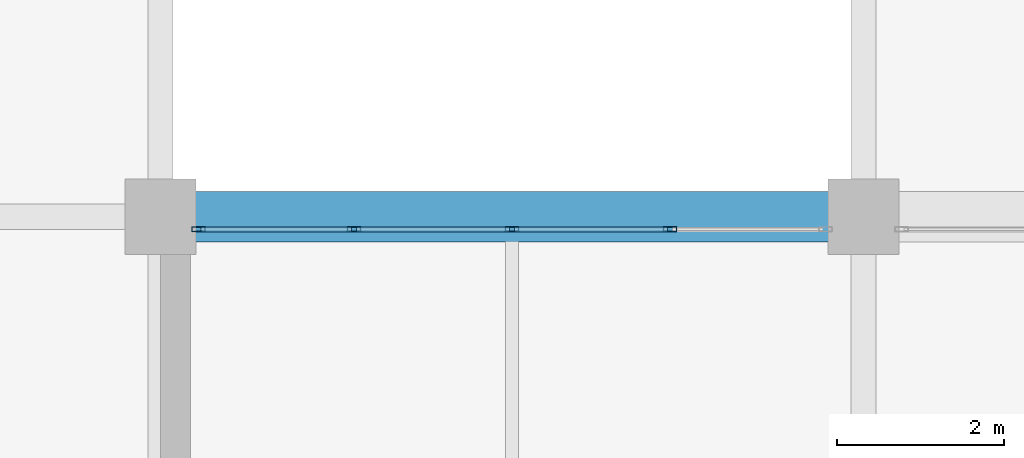
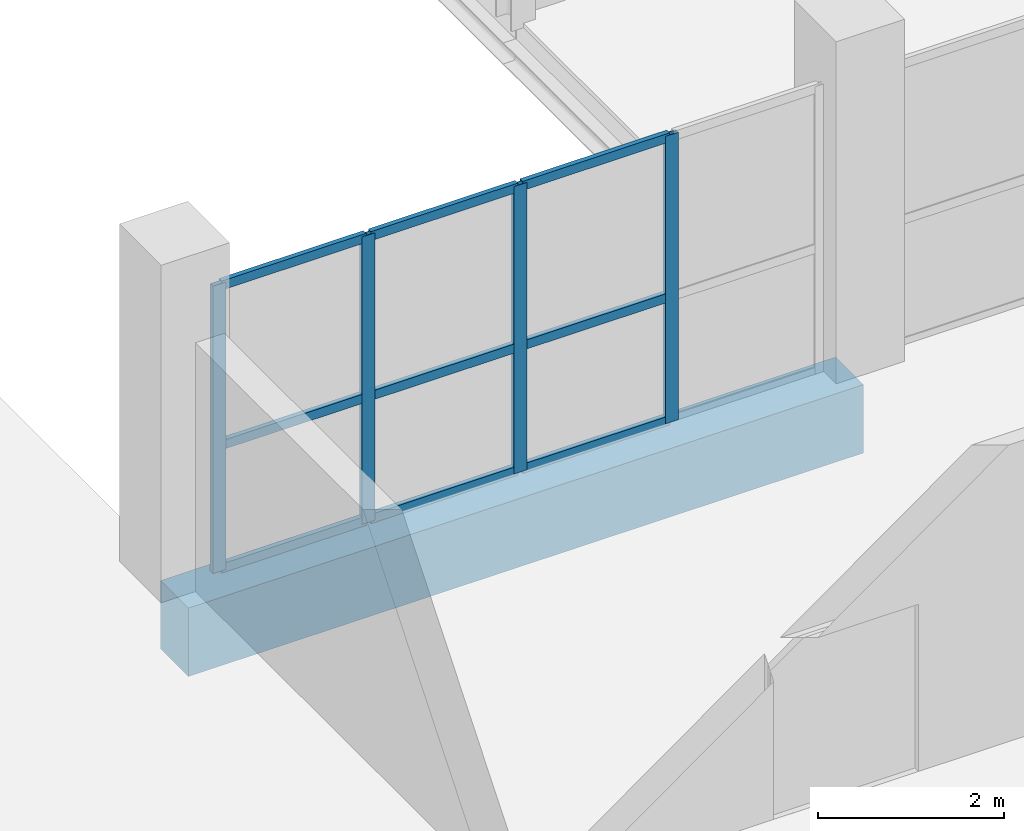
# One storey, part 12 of 103: 13 members, 1 beam, 1 element without a shape of its own.
"""IFC4 building model written with IfcOpenShell, lengths in metres."""

from ifc_helpers import new_model, si_unit, direction, frame, origin, origin_2d, place, context, subcontext, project, spatial, rectangle, hollow_rectangle, extrude, material, material_profile, profile_set, type_object, element, aggregate, save


model = new_model("IFC4")

# Units and contexts
model_context = context("Model", 3, precision=1e-05, world=origin(), true_north=direction((0.0, 1.0)))
body_context = subcontext(model_context, "Body", "Model", "MODEL_VIEW")
ifc_project = project(units=[si_unit("LENGTHUNIT", "METRE"), si_unit("AREAUNIT", "SQUARE_METRE"), si_unit("VOLUMEUNIT", "CUBIC_METRE"), si_unit("PLANEANGLEUNIT", "RADIAN"), si_unit("MASSUNIT", "GRAM", prefix="KILO")], contexts=[model_context])

# Site, building, storey
site_placement = place(None, origin())
site = spatial("IfcSite", under=ifc_project, at=site_placement, CompositionType="ELEMENT")
building_placement = place(site_placement, origin())
building = spatial("IfcBuilding", under=site, at=building_placement, Name="Veltarok Museum of Natural Sciences", CompositionType="ELEMENT")
storey_placement = place(building_placement, frame((0.0, 0.0, 21.89990234375)))
storey = spatial("IfcBuildingStorey", under=building, at=storey_placement, Name="L04", CompositionType="ELEMENT", Elevation=21.89990234375)

# Curtain wall, members
ifc_material_1 = material(Name="Low-iron triple insulated glass", Category="glass")
curtain_wall_type = type_object("IfcCurtainWallType", Name="Curtain Wall System CW-V1CN4-L04-2-755x378 (CW-V1CN4 L04 755x378cm)", PredefinedType="NOTDEFINED", material=ifc_material_1)
curtain_wall_placement = place(storey_placement, origin())
curtain_wall = element("IfcCurtainWall", 1, at=curtain_wall_placement, inside=storey, type_object=curtain_wall_type, Name="Curtain Wall CW-V1CN4-L04-2-755x378 CW-0162", PredefinedType="NOTDEFINED")
ifc_material_2 = material(Name="Thermally broken anodised aluminium", Category="aluminium")
ifc_material_profile_1 = material_profile(ifc_material_2, hollow_rectangle(XDim=0.06005859375, YDim=0.1201171875, WallThickness=0.0048828125, at=origin_2d()), Name="CW TRANSOM 60x120x5")
ifc_profile_set_1 = profile_set([ifc_material_profile_1], Name="Thermally broken anodised aluminium")
member_type_1 = type_object("IfcMemberType", Name="Curtain Wall Horizontal Transom 60x120x5", PredefinedType="USERDEFINED", material=ifc_profile_set_1)
member_1_placement = place(storey_placement, frame((37.657470703125, 19.050048828125, 0.028076171875), z_axis=(-1.0, 0.0, 0.0), x_axis=(0.0, -1.0, 0.0)))
member_1 = element("IfcMember", 2, at=member_1_placement, type_object=member_type_1, Name="CW-V1CN4-L04-2-755x378 transom 2.1", ObjectType="TRANSOM", PredefinedType="USERDEFINED", context=body_context, shape_type="SweptSolid", body=[
    extrude(hollow_rectangle(XDim=0.06005859375, YDim=0.1201171875, WallThickness=0.0048828125, at=origin_2d()), origin(), (0.0, 0.0, 1.0), 1.827392578125),
])
member_2_placement = place(storey_placement, frame((37.657470703125, 19.050048828125, 1.648193359375), z_axis=(-1.0, 0.0, 0.0), x_axis=(0.0, -1.0, 0.0)))
member_2 = element("IfcMember", 3, at=member_2_placement, type_object=member_type_1, Name="CW-V1CN4-L04-2-755x378 transom 2.2", ObjectType="TRANSOM", PredefinedType="USERDEFINED", context=body_context, shape_type="SweptSolid", body=[
    extrude(hollow_rectangle(XDim=0.06005859375, YDim=0.1201171875, WallThickness=0.0048828125, at=origin_2d()), origin(), (0.0, 0.0, 1.0), 1.827392578125),
])
member_3_placement = place(storey_placement, frame((37.657470703125, 19.050048828125, 3.75), z_axis=(-1.0, 0.0, 0.0), x_axis=(0.0, -1.0, 0.0)))
member_3 = element("IfcMember", 4, at=member_3_placement, type_object=member_type_1, Name="CW-V1CN4-L04-2-755x378 transom 2.3", ObjectType="TRANSOM", PredefinedType="USERDEFINED", context=body_context, shape_type="SweptSolid", body=[
    extrude(hollow_rectangle(XDim=0.06005859375, YDim=0.1201171875, WallThickness=0.0048828125, at=origin_2d()), origin(), (0.0, 0.0, 1.0), 1.827392578125),
])
member_4_placement = place(storey_placement, frame((35.77001953125, 19.050048828125, 0.028076171875), z_axis=(-1.0, 0.0, 0.0), x_axis=(0.0, -1.0, 0.0)))
member_4 = element("IfcMember", 5, at=member_4_placement, type_object=member_type_1, Name="CW-V1CN4-L04-2-755x378 transom 3.1", ObjectType="TRANSOM", PredefinedType="USERDEFINED", context=body_context, shape_type="SweptSolid", body=[
    extrude(hollow_rectangle(XDim=0.06005859375, YDim=0.1201171875, WallThickness=0.0048828125, at=origin_2d()), origin(), (0.0, 0.0, 1.0), 1.82763671875),
])
member_5_placement = place(storey_placement, frame((35.77001953125, 19.050048828125, 1.648193359375), z_axis=(-1.0, 0.0, 0.0), x_axis=(0.0, -1.0, 0.0)))
member_5 = element("IfcMember", 6, at=member_5_placement, type_object=member_type_1, Name="CW-V1CN4-L04-2-755x378 transom 3.2", ObjectType="TRANSOM", PredefinedType="USERDEFINED", context=body_context, shape_type="SweptSolid", body=[
    extrude(hollow_rectangle(XDim=0.06005859375, YDim=0.1201171875, WallThickness=0.0048828125, at=origin_2d()), origin(), (0.0, 0.0, 1.0), 1.82763671875),
])
member_6_placement = place(storey_placement, frame((35.77001953125, 19.050048828125, 3.75), z_axis=(-1.0, 0.0, 0.0), x_axis=(0.0, -1.0, 0.0)))
member_6 = element("IfcMember", 7, at=member_6_placement, type_object=member_type_1, Name="CW-V1CN4-L04-2-755x378 transom 3.3", ObjectType="TRANSOM", PredefinedType="USERDEFINED", context=body_context, shape_type="SweptSolid", body=[
    extrude(hollow_rectangle(XDim=0.06005859375, YDim=0.1201171875, WallThickness=0.0048828125, at=origin_2d()), origin(), (0.0, 0.0, 1.0), 1.82763671875),
])
member_7_placement = place(storey_placement, frame((33.882568359375, 19.050048828125, 0.028076171875), z_axis=(-1.0, 0.0, 0.0), x_axis=(0.0, -1.0, 0.0)))
member_7 = element("IfcMember", 8, at=member_7_placement, type_object=member_type_1, Name="CW-V1CN4-L04-2-755x378 transom 4.1", ObjectType="TRANSOM", PredefinedType="USERDEFINED", context=body_context, shape_type="SweptSolid", body=[
    extrude(hollow_rectangle(XDim=0.06005859375, YDim=0.1201171875, WallThickness=0.0048828125, at=origin_2d()), origin(), (0.0, 0.0, 1.0), 1.797607421875),
])
member_8_placement = place(storey_placement, frame((33.882568359375, 19.050048828125, 1.648193359375), z_axis=(-1.0, 0.0, 0.0), x_axis=(0.0, -1.0, 0.0)))
member_8 = element("IfcMember", 9, at=member_8_placement, type_object=member_type_1, Name="CW-V1CN4-L04-2-755x378 transom 4.2", ObjectType="TRANSOM", PredefinedType="USERDEFINED", context=body_context, shape_type="SweptSolid", body=[
    extrude(hollow_rectangle(XDim=0.06005859375, YDim=0.1201171875, WallThickness=0.0048828125, at=origin_2d()), origin(), (0.0, 0.0, 1.0), 1.797607421875),
])
member_9_placement = place(storey_placement, frame((33.882568359375, 19.050048828125, 3.75), z_axis=(-1.0, 0.0, 0.0), x_axis=(0.0, -1.0, 0.0)))
member_9 = element("IfcMember", 10, at=member_9_placement, type_object=member_type_1, Name="CW-V1CN4-L04-2-755x378 transom 4.3", ObjectType="TRANSOM", PredefinedType="USERDEFINED", context=body_context, shape_type="SweptSolid", body=[
    extrude(hollow_rectangle(XDim=0.06005859375, YDim=0.1201171875, WallThickness=0.0048828125, at=origin_2d()), origin(), (0.0, 0.0, 1.0), 1.797607421875),
])
ifc_material_profile_2 = material_profile(ifc_material_2, hollow_rectangle(XDim=0.06005859375, YDim=0.159912109375, WallThickness=0.0048828125, at=origin_2d()), Name="CW MULLION 60x160x5")
ifc_profile_set_2 = profile_set([ifc_material_profile_2], Name="Thermally broken anodised aluminium")
member_type_2 = type_object("IfcMemberType", Name="Curtain Wall Vertical Mullion 60x160x5", PredefinedType="MULLION", material=ifc_profile_set_2)
member_10_placement = place(storey_placement, frame((37.6875, 19.050048828125, -0.001953125), z_axis=(0.0, 0.0, 1.0), x_axis=(0.0, -1.0, 0.0)))
member_10 = element("IfcMember", 11, at=member_10_placement, type_object=member_type_2, Name="CW-V1CN4-L04-2-755x378 mullion 2", PredefinedType="MULLION", context=body_context, shape_type="SweptSolid", body=[
    extrude(hollow_rectangle(XDim=0.06005859375, YDim=0.159912109375, WallThickness=0.0048828125, at=origin_2d()), origin(), (0.0, 0.0, 1.0), 3.781982421875),
])
member_11_placement = place(storey_placement, frame((35.800048828125, 19.050048828125, -0.001953125), z_axis=(0.0, 0.0, 1.0), x_axis=(0.0, -1.0, 0.0)))
member_11 = element("IfcMember", 12, at=member_11_placement, type_object=member_type_2, Name="CW-V1CN4-L04-2-755x378 mullion 3", PredefinedType="MULLION", context=body_context, shape_type="SweptSolid", body=[
    extrude(hollow_rectangle(XDim=0.06005859375, YDim=0.159912109375, WallThickness=0.0048828125, at=origin_2d()), origin(), (0.0, 0.0, 1.0), 3.781982421875),
])
member_12_placement = place(storey_placement, frame((33.91259765625, 19.050048828125, -0.001953125), z_axis=(0.0, 0.0, 1.0), x_axis=(0.0, -1.0, 0.0)))
member_12 = element("IfcMember", 13, at=member_12_placement, type_object=member_type_2, Name="CW-V1CN4-L04-2-755x378 mullion 4", PredefinedType="MULLION", context=body_context, shape_type="SweptSolid", body=[
    extrude(hollow_rectangle(XDim=0.06005859375, YDim=0.159912109375, WallThickness=0.0048828125, at=origin_2d()), origin(), (0.0, 0.0, 1.0), 3.781982421875),
])
member_13_placement = place(storey_placement, frame((32.054931640625, 19.050048828125, -0.001953125), z_axis=(0.0, 0.0, 1.0), x_axis=(0.0, -1.0, 0.0)))
member_13 = element("IfcMember", 14, at=member_13_placement, type_object=member_type_2, Name="CW-V1CN4-L04-2-755x378 mullion 5", PredefinedType="MULLION", context=body_context, shape_type="SweptSolid", body=[
    extrude(hollow_rectangle(XDim=0.06005859375, YDim=0.159912109375, WallThickness=0.0048828125, at=origin_2d()), origin(), (0.0, 0.0, 1.0), 3.781982421875),
])
aggregate(curtain_wall, [member_10, member_11, member_12, member_13, member_1, member_2, member_3, member_4, member_5, member_6, member_7, member_8, member_9])

# Beam
ifc_material_3 = material(Name="Concrete C40/50", Category="concrete")
ifc_material_profile_3 = material_profile(ifc_material_3, rectangle(XDim=0.60009765625, YDim=0.89990234375, at=origin_2d()), Name="RC 600x900")
ifc_profile_set_3 = profile_set([ifc_material_profile_3], Name="Concrete C40/50")
beam_type = type_object("IfcBeamType", Name="Exposed Cabinet Perimeter Spandrel RC 600x900", PredefinedType="SPANDREL", material=ifc_profile_set_3)
beam_placement = place(storey_placement, frame((31.60009765625, 19.199951171875, -0.699951171875), z_axis=(1.0, 0.0, 0.0), x_axis=(0.0, 1.0, 0.0)))
element("IfcBeam", 15, at=beam_placement, inside=storey, type_object=beam_type, Name="Beam BM-SP01 L04 4-5/C", PredefinedType="SPANDREL", context=body_context, shape_type="SweptSolid", body=[
    extrude(rectangle(XDim=0.60009765625, YDim=0.89990234375, at=origin_2d()), origin(), (0.0, 0.0, 1.0), 8.39990234375),
])

save(model, "model.ifc")
